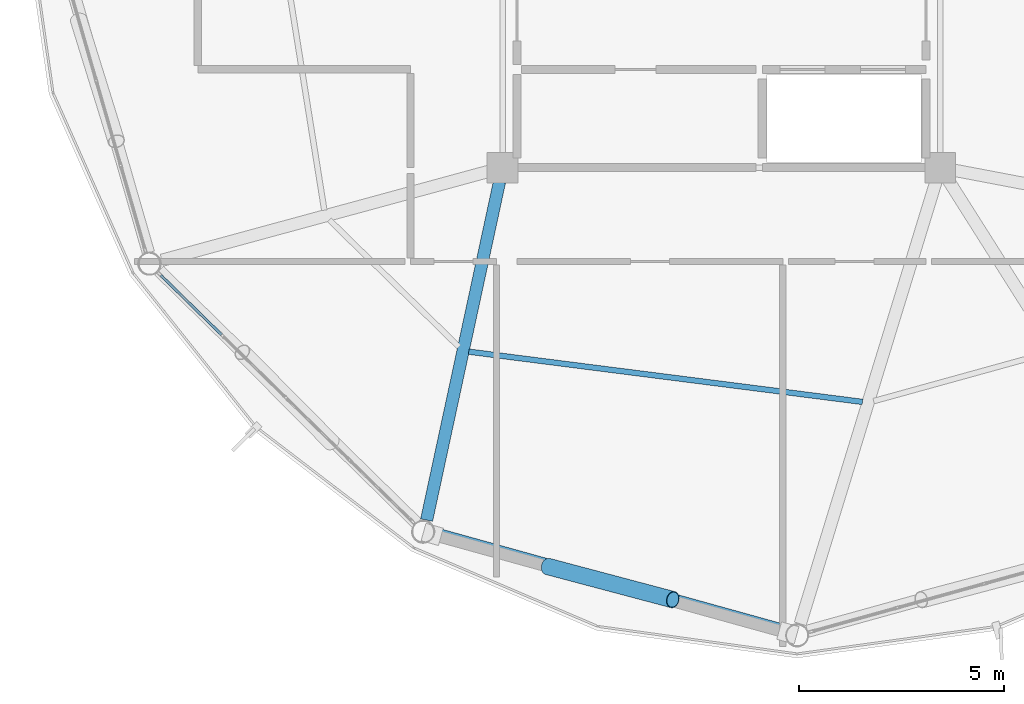
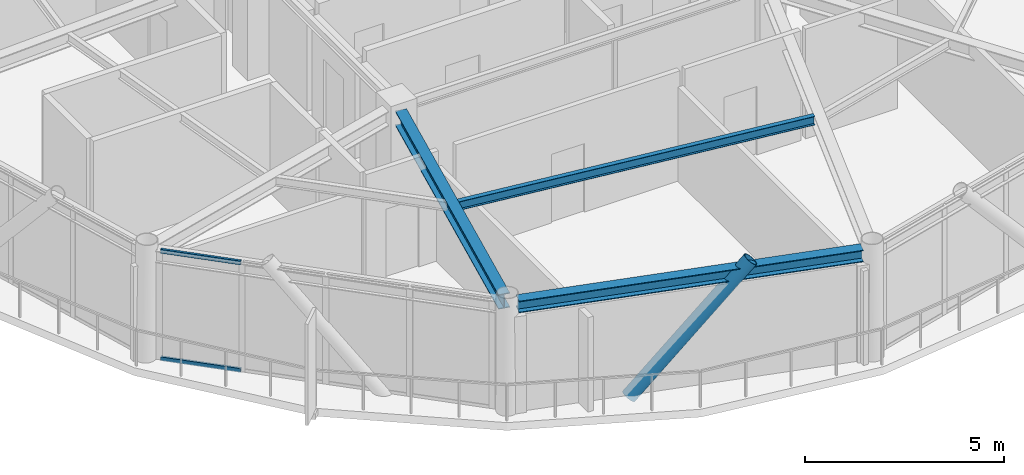
# One storey, part 3 of 25: 3 beams, 3 members, 1 element without a shape of its own.
"""IFC4 building model written with IfcOpenShell, lengths in metres."""

from ifc_helpers import new_model, si_unit, direction, frame, origin, origin_2d, place, context, subcontext, project, spatial, hollow_rectangle, hollow_circle, i_section, extrude, material, layer, layer_set, material_profile, profile_set, type_object, element, aggregate, save


model = new_model("IFC4")

# Units and contexts
model_context = context("Model", 3, precision=1e-05, world=origin(), true_north=direction((0.0, 1.0)))
body_context = subcontext(model_context, "Body", "Model", "MODEL_VIEW")
ifc_project = project(units=[si_unit("LENGTHUNIT", "METRE"), si_unit("AREAUNIT", "SQUARE_METRE"), si_unit("VOLUMEUNIT", "CUBIC_METRE"), si_unit("PLANEANGLEUNIT", "RADIAN"), si_unit("MASSUNIT", "GRAM", prefix="KILO")], contexts=[model_context])

# Site, building, storey
site_placement = place(None, origin())
site = spatial("IfcSite", under=ifc_project, at=site_placement, CompositionType="ELEMENT")
building_placement = place(site_placement, origin())
building = spatial("IfcBuilding", under=site, at=building_placement, Name="Varnakorn Sky Granary", CompositionType="ELEMENT")
storey_placement = place(building_placement, frame((0.0, 0.0, 252.60009765625)))
storey = spatial("IfcBuildingStorey", under=building, at=storey_placement, Name="L64", CompositionType="ELEMENT", Elevation=252.60009765625)

# Beams
ifc_material_1 = material(Name="Steel S355JR", Category="steel")
ifc_material_profile_1 = material_profile(ifc_material_1, i_section(OverallWidth=0.300048828125, OverallDepth=0.449951171875, WebThickness=0.013916015625, FlangeThickness=0.02587890625, at=origin_2d()), Name="HE 450 B")
ifc_profile_set_1 = profile_set([ifc_material_profile_1], Name="Steel S355JR")
beam_type_1 = type_object("IfcBeamType", Name="BM-RAD-Z5", PredefinedType="BEAM", material=ifc_profile_set_1)
beam_1_placement = place(storey_placement, frame((-2.4248046875, -6.947021484375, 3.135009765625), z_axis=(-0.210634568253, -0.977564871841, 0.0), x_axis=(0.977564871841, -0.210634568253, 0.0)))
element("IfcBeam", 1, at=beam_1_placement, inside=storey, type_object=beam_type_1, Name="Radial Floor Girder RG09 L64", PredefinedType="BEAM", context=body_context, shape_type="SweptSolid", body=[
    extrude(i_section(OverallWidth=0.300048828125, OverallDepth=0.449951171875, WebThickness=0.013916015625, FlangeThickness=0.02587890625, at=origin_2d()), origin(), (0.0, 0.0, 1.0), 8.4599609375),
])
ifc_material_profile_2 = material_profile(ifc_material_1, i_section(OverallWidth=0.135009765625, OverallDepth=0.27001953125, WebThickness=0.006591796875, FlangeThickness=0.01025390625, at=origin_2d()), Name="IPE 270")
ifc_profile_set_2 = profile_set([ifc_material_profile_2], Name="Steel S355JR")
beam_type_2 = type_object("IfcBeamType", Name="BM-SEC-Z5", PredefinedType="BEAM", material=ifc_profile_set_2)
beam_2_placement = place(storey_placement, frame((-3.177001953125, -11.099853515625, 3.224853515625), z_axis=(0.991958788085, -0.126561300326, 0.0), x_axis=(0.126561300326, 0.991958788085, 0.0)))
element("IfcBeam", 2, at=beam_2_placement, inside=storey, type_object=beam_type_2, Name="Secondary Floor Chord Beam MSB09 L64", PredefinedType="BEAM", context=body_context, shape_type="SweptSolid", body=[
    extrude(i_section(OverallWidth=0.135009765625, OverallDepth=0.27001953125, WebThickness=0.006591796875, FlangeThickness=0.01025390625, at=origin_2d()), origin(), (0.0, 0.0, 1.0), 9.703125),
])
ifc_material_profile_3 = material_profile(ifc_material_1, i_section(OverallWidth=0.300048828125, OverallDepth=0.360107421875, WebThickness=0.012451171875, FlangeThickness=0.0224609375, at=origin_2d()), Name="HE 360 B")
ifc_profile_set_3 = profile_set([ifc_material_profile_3], Name="Steel S355JR")
beam_type_3 = type_object("IfcBeamType", Name="BM-SPD-Z5", PredefinedType="SPANDREL", material=ifc_profile_set_3)
beam_3_placement = place(storey_placement, frame((-4.007568359375, -15.546630859375, 3.179931640625), z_axis=(0.963574694559, -0.267439353883, 0.0), x_axis=(0.267439353883, 0.963574694559, 0.0)))
element("IfcBeam", 3, at=beam_3_placement, inside=storey, type_object=beam_type_3, Name="Perimeter Spandrel Ring Beam RB09 L64", PredefinedType="SPANDREL", context=body_context, shape_type="SweptSolid", body=[
    extrude(i_section(OverallWidth=0.300048828125, OverallDepth=0.360107421875, WebThickness=0.012451171875, FlangeThickness=0.0224609375, at=origin_2d()), origin(), (0.0, 0.0, 1.0), 8.927978515625),
])

# Curtain wall, members
ifc_material_2 = material(Name="Anodised Bronze Aluminium Alloy 6063-T6", Category="aluminium")
ifc_layer = layer(ifc_material_2, 0.159912109375, Name="Anodised Bronze Aluminium Alloy 6063-T6")
ifc_layer_set = layer_set([ifc_layer], Name="Anodised Bronze Aluminium Alloy 6063-T6")
curtain_wall_type = type_object("IfcCurtainWallType", Name="CW-OFF-1", PredefinedType="USERDEFINED", material=ifc_layer_set)
curtain_wall_placement = place(storey_placement, origin())
curtain_wall = element("IfcCurtainWall", 4, at=curtain_wall_placement, inside=storey, type_object=curtain_wall_type, Name="Unitised Curtain Wall CW6 CW-L64-B08", ObjectType="CURTAIN WALL", PredefinedType="USERDEFINED")
ifc_material_profile_4 = material_profile(ifc_material_2, hollow_rectangle(XDim=0.06494140625, YDim=0.1201171875, WallThickness=0.00341796875, at=origin_2d()), Name="ALU TRAN 65x120")
ifc_profile_set_4 = profile_set([ifc_material_profile_4], Name="Anodised Bronze Aluminium Alloy 6063-T6")
member_type_1 = type_object("IfcMemberType", Name="CW-OFF-1-TRAN", PredefinedType="USERDEFINED", material=ifc_profile_set_4)
member_1_placement = place(storey_placement, frame((-9.219482421875, -10.686279296875, 0.032470703125), z_axis=(-0.714597426936, 0.69953593004, 0.0), x_axis=(-0.69953593004, -0.714597426936, 0.0)))
member_1 = element("IfcMember", 5, at=member_1_placement, type_object=member_type_1, Name="CW6 transom 4.1", ObjectType="TRANSOM", PredefinedType="USERDEFINED", context=body_context, shape_type="SweptSolid", body=[
    extrude(hollow_rectangle(XDim=0.06494140625, YDim=0.1201171875, WallThickness=0.00341796875, at=origin_2d()), origin(), (0.0, 0.0, 1.0), 2.07470703125),
])
member_2_placement = place(storey_placement, frame((-9.219482421875, -10.686279296875, 3.327392578125), z_axis=(-0.714597426936, 0.69953593004, 0.0), x_axis=(-0.69953593004, -0.714597426936, 0.0)))
member_2 = element("IfcMember", 6, at=member_2_placement, type_object=member_type_1, Name="CW6 transom 4.2", ObjectType="TRANSOM", PredefinedType="USERDEFINED", context=body_context, shape_type="SweptSolid", body=[
    extrude(hollow_rectangle(XDim=0.06494140625, YDim=0.1201171875, WallThickness=0.00341796875, at=origin_2d()), origin(), (0.0, 0.0, 1.0), 2.07470703125),
])
aggregate(curtain_wall, [member_1, member_2])

# Member
ifc_material_3 = material(Name="Steel S460M", Category="steel")
ifc_material_profile_5 = material_profile(ifc_material_3, hollow_circle(Radius=0.203125, WallThickness=0.01611328125, at=origin_2d()), Name="CHS 406.4x16")
ifc_profile_set_5 = profile_set([ifc_material_profile_5], Name="Steel S460M")
member_type_2 = type_object("IfcMemberType", Name="MB-DIAG-T4", PredefinedType="BRACE", material=ifc_profile_set_5)
member_3_placement = place(storey_placement, frame((-1.247314453125, -16.349853515625, -0.130126953125), z_axis=(0.636254702082, -0.168899656413, 0.752763482205), x_axis=(0.256572909376, 0.966524879232, 0.0)))
element("IfcMember", 7, at=member_3_placement, inside=storey, type_object=member_type_2, Name="Perimeter CHS Diagrid Brace DG09 L64", PredefinedType="BRACE", context=body_context, shape_type="SweptSolid", body=[
    extrude(hollow_circle(Radius=0.203125, WallThickness=0.01611328125, at=origin_2d()), origin(), (0.0, 0.0, 1.0), 4.80908203125),
])

save(model, "model.ifc")
